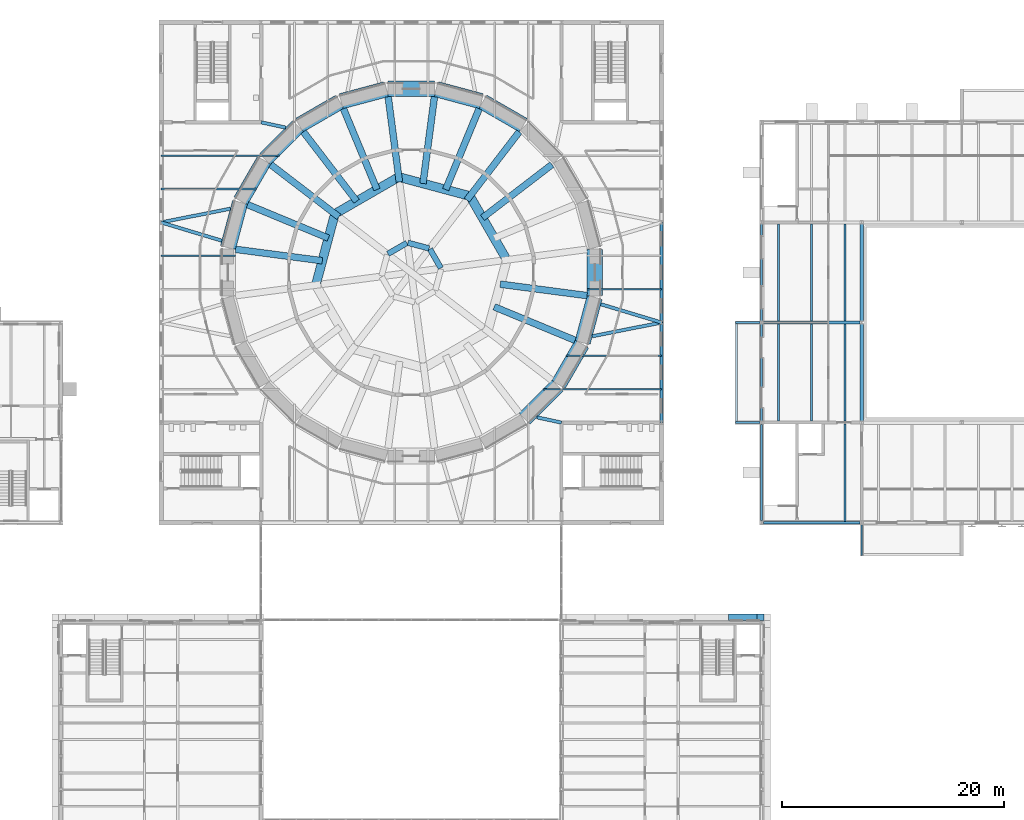
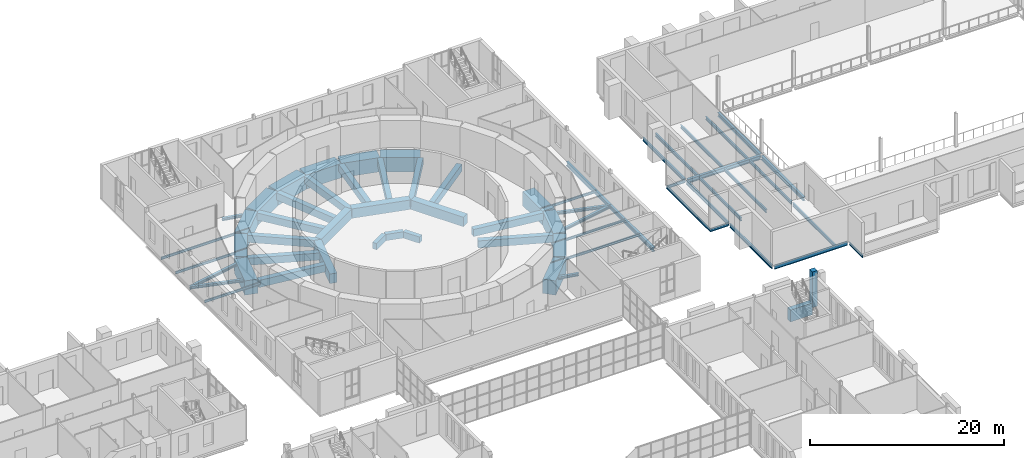
# One storey, part 52 of 131: 64 beams, 1 member.
"""IFC4 building model written with IfcOpenShell, lengths in metres."""

from ifc_helpers import new_model, si_unit, direction, frame, origin, origin_2d, place, context, subcontext, project, spatial, rectangle, i_section, extrude, material, material_profile, profile_set, type_object, element, save


model = new_model("IFC4")

# Units and contexts
model_context = context("Model", 3, precision=1e-05, world=origin(), true_north=direction((0.0, 1.0)))
body_context = subcontext(model_context, "Body", "Model", "MODEL_VIEW")
ifc_project = project(units=[si_unit("LENGTHUNIT", "METRE"), si_unit("AREAUNIT", "SQUARE_METRE"), si_unit("VOLUMEUNIT", "CUBIC_METRE"), si_unit("PLANEANGLEUNIT", "RADIAN"), si_unit("MASSUNIT", "GRAM", prefix="KILO")], contexts=[model_context])

# Site, building, storey
site_placement = place(None, origin())
site = spatial("IfcSite", under=ifc_project, at=site_placement, CompositionType="ELEMENT")
building_placement = place(site_placement, origin())
building = spatial("IfcBuilding", under=site, at=building_placement, Name="Golden Quay Civic Hall", CompositionType="ELEMENT")
storey_placement = place(building_placement, frame((0.0, 0.0, 9.89990234375)))
storey = spatial("IfcBuildingStorey", under=building, at=storey_placement, Name="L02", CompositionType="ELEMENT", Elevation=9.89990234375)

# Beams
ifc_material_1 = material(Name="Steel S355", Category="steel")
ifc_material_profile_1 = material_profile(ifc_material_1, i_section(OverallWidth=0.159912109375, OverallDepth=0.330078125, WebThickness=0.007568359375, FlangeThickness=0.011474609375, FilletRadius=0.01806640625, at=origin_2d()), Name="IPE 330")
ifc_profile_set_1 = profile_set([ifc_material_profile_1], Name="Steel S355")
beam_type_1 = type_object("IfcBeamType", Name="Loggia head beam IPE 330", PredefinedType="BEAM", material=ifc_profile_set_1)
beam_1_placement = place(storey_placement, frame((114.72998046875, 72.080078125, -0.364990234375), z_axis=(0.0, 1.0, 0.0), x_axis=(-1.0, 0.0, 0.0)))
element("IfcBeam", 1, at=beam_1_placement, inside=storey, type_object=beam_type_1, Name="Loggia head beam IPE 330 L02 16", PredefinedType="BEAM", context=body_context, shape_type="SweptSolid", body=[
    extrude(i_section(OverallWidth=0.159912109375, OverallDepth=0.330078125, WebThickness=0.007568359375, FlangeThickness=0.011474609375, FilletRadius=0.01806640625, at=origin_2d()), origin(), (0.0, 0.0, 1.0), 8.83984375),
])
ifc_material_2 = material(Name="Steel S355", Category="steel")
ifc_material_profile_2 = material_profile(ifc_material_2, i_section(OverallWidth=0.159912109375, OverallDepth=0.330078125, WebThickness=0.007568359375, FlangeThickness=0.011474609375, FilletRadius=0.01806640625, at=origin_2d()), Name="IPE 330")
ifc_profile_set_2 = profile_set([ifc_material_profile_2], Name="Steel S355")
beam_type_2 = type_object("IfcBeamType", Name="Loggia stub IPE 330", PredefinedType="BEAM", material=ifc_profile_set_2)
beam_2_placement = place(storey_placement, frame((126.0, 62.820068359375, -0.364990234375), z_axis=(0.0, -1.0, 0.0), x_axis=(1.0, 0.0, 0.0)))
element("IfcBeam", 2, at=beam_2_placement, inside=storey, type_object=beam_type_2, Name="Loggia stub IPE 330 L02 16", PredefinedType="BEAM", context=body_context, shape_type="SweptSolid", body=[
    extrude(i_section(OverallWidth=0.159912109375, OverallDepth=0.330078125, WebThickness=0.007568359375, FlangeThickness=0.011474609375, FilletRadius=0.01806640625, at=origin_2d()), origin(), (0.0, 0.0, 1.0), 2.77001953125),
])
for number, where, z_axis, x_axis, name in (
    (3, (116.85009765625, 72.0, -0.364990234375), (-1.0, 0.0, 0.0), (0.0, -1.0, 0.0), "Loggia stub IPE 330 L02 25"),
    (4, (116.85009765625, 81.0, -0.364990234375), (-1.0, 0.0, 0.0), (0.0, -1.0, 0.0), "Loggia stub IPE 330 L02 26"),
):
    element("IfcBeam", number, at=place(storey_placement, frame(where, z_axis=z_axis, x_axis=x_axis)), inside=storey, type_object=beam_type_2, Name=name, PredefinedType="BEAM", context=body_context, shape_type="SweptSolid", body=[
        extrude(i_section(OverallWidth=0.159912109375, OverallDepth=0.330078125, WebThickness=0.007568359375, FlangeThickness=0.011474609375, FilletRadius=0.01806640625, at=origin_2d()), origin(), (0.0, 0.0, 1.0), 2.2001953125),
    ])

# Member
ifc_material_3 = material(Name="Concrete C40/50", Category="concrete")
ifc_material_profile_3 = material_profile(ifc_material_3, rectangle(XDim=0.60009765625, YDim=0.60009765625, at=origin_2d()), Name="RC 600x600")
ifc_profile_set_3 = profile_set([ifc_material_profile_3], Name="Concrete C40/50")
member_type = type_object("IfcMemberType", Name="Precast concrete facade post 600 x 600", PredefinedType="POST", material=ifc_profile_set_3)
member_placement = place(storey_placement, frame((116.89990234375, 54.5, 0.0), z_axis=(0.0, 0.0, 1.0), x_axis=(1.0, 0.0, 0.0)))
element("IfcMember", 5, at=member_placement, inside=storey, type_object=member_type, Name="Precast concrete facade post 600 x 600 L02 11", PredefinedType="POST", context=body_context, shape_type="SweptSolid", body=[
    extrude(rectangle(XDim=0.60009765625, YDim=0.60009765625, at=origin_2d()), origin(), (0.0, 0.0, 1.0), 4.5),
])

# Beams
ifc_material_4 = material(Name="Concrete C40/50", Category="concrete")
ifc_material_profile_4 = material_profile(ifc_material_4, rectangle(XDim=0.60009765625, YDim=1.5, at=origin_2d()), Name="RC 600x1500")
ifc_profile_set_4 = profile_set([ifc_material_profile_4], Name="Concrete C40/50")
beam_type_3 = type_object("IfcBeamType", Name="Precast concrete spandrel beam 600 x 1500", PredefinedType="SPANDREL", material=ifc_profile_set_4)
beam_3_placement = place(storey_placement, frame((114.0, 54.5, -0.14990234375), z_axis=(1.0, 0.0, 0.0), x_axis=(0.0, 1.0, 0.0)))
element("IfcBeam", 6, at=beam_3_placement, inside=storey, type_object=beam_type_3, Name="Precast concrete spandrel beam 600 x 1500 L02 31", PredefinedType="SPANDREL", context=body_context, shape_type="SweptSolid", body=[
    extrude(rectangle(XDim=0.60009765625, YDim=1.5, at=origin_2d()), origin(), (0.0, 0.0, 1.0), 2.60009765625),
])
ifc_material_5 = material(Name="Concrete C40/50", Category="concrete")
ifc_material_profile_5 = material_profile(ifc_material_5, rectangle(XDim=0.5, YDim=0.800048828125, at=origin_2d()), Name="RC 500x800")
ifc_profile_set_5 = profile_set([ifc_material_profile_5], Name="Concrete C40/50")
beam_type_4 = type_object("IfcBeamType", Name="Reinforced concrete central ring beam 500x800", PredefinedType="BEAM", material=ifc_profile_set_5)
beam_4_placement = place(storey_placement, frame((88.15771484375, 85.896484375, -0.599853515625), z_axis=(-0.499922605174, 0.866070083097, 0.0), x_axis=(-0.866070083097, -0.499922605174, 0.0)))
element("IfcBeam", 7, at=beam_4_placement, inside=storey, type_object=beam_type_4, Name="Chamber central ring beam segment 1", PredefinedType="BEAM", context=body_context, shape_type="SweptSolid", body=[
    extrude(rectangle(XDim=0.5, YDim=0.800048828125, at=origin_2d()), origin(), (0.0, 0.0, 1.0), 1.970947265625),
])
beam_5_placement = place(storey_placement, frame((87.09912109375, 87.65966796875, -0.599853515625), z_axis=(-0.965917643923, 0.258849580177, 0.0), x_axis=(-0.258849580177, -0.965917643923, 0.0)))
element("IfcBeam", 8, at=beam_5_placement, inside=storey, type_object=beam_type_4, Name="Chamber central ring beam segment 2", PredefinedType="BEAM", context=body_context, shape_type="SweptSolid", body=[
    extrude(rectangle(XDim=0.5, YDim=0.800048828125, at=origin_2d()), origin(), (0.0, 0.0, 1.0), 1.97119140625),
])
beam_6_placement = place(storey_placement, frame((85.103515625, 88.15771484375, -0.599853515625), z_axis=(-0.866070083097, -0.499922605174, 0.0), x_axis=(0.499922605174, -0.866070083097, 0.0)))
element("IfcBeam", 9, at=beam_6_placement, inside=storey, type_object=beam_type_4, Name="Chamber central ring beam segment 3", PredefinedType="BEAM", context=body_context, shape_type="SweptSolid", body=[
    extrude(rectangle(XDim=0.5, YDim=0.800048828125, at=origin_2d()), origin(), (0.0, 0.0, 1.0), 1.970947265625),
])
ifc_material_6 = material(Name="Concrete C40/50", Category="concrete")
ifc_material_profile_6 = material_profile(ifc_material_6, rectangle(XDim=0.800048828125, YDim=1.199951171875, at=origin_2d()), Name="RC 800x1200")
ifc_profile_set_6 = profile_set([ifc_material_profile_6], Name="Concrete C40/50")
beam_type_5 = type_object("IfcBeamType", Name="Reinforced concrete inner ring beam 800x1200", PredefinedType="BEAM", material=ifc_profile_set_6)
for number, where, z_axis, x_axis, name in (
    (10, (94.002197265625, 86.773681640625, -0.7998046875), (-0.499984268907, 0.866034485945, 0.0), (-0.866034485945, -0.499984268907, 0.0), "Chamber inner ring beam segment 1"),
    (11, (90.611328125, 92.41259765625, -0.7998046875), (-0.965922087975, 0.258832996276, 0.0), (-0.258832996276, -0.965922087975, 0.0), "Chamber inner ring beam segment 2"),
    (12, (84.226318359375, 94.002197265625, -0.7998046875), (-0.866034485945, -0.499984268907, 0.0), (0.499984268907, -0.866034485945, 0.0), "Chamber inner ring beam segment 3"),
    (13, (78.58740234375, 90.611328125, -0.7998046875), (-0.258832996276, -0.965922087975, 0.0), (0.965922087975, -0.258832996276, 0.0), "Chamber inner ring beam segment 4"),
):
    element("IfcBeam", number, at=place(storey_placement, frame(where, z_axis=z_axis, x_axis=x_axis)), inside=storey, type_object=beam_type_5, Name=name, PredefinedType="BEAM", context=body_context, shape_type="SweptSolid", body=[
        extrude(rectangle(XDim=0.800048828125, YDim=1.199951171875, at=origin_2d()), origin(), (0.0, 0.0, 1.0), 6.296142578125),
    ])
ifc_material_7 = material(Name="Concrete C40/50", Category="concrete")
ifc_material_profile_7 = material_profile(ifc_material_7, rectangle(XDim=0.60009765625, YDim=0.89990234375, at=origin_2d()), Name="RC 600x900")
ifc_profile_set_7 = profile_set([ifc_material_profile_7], Name="Concrete C40/50")
beam_type_6 = type_object("IfcBeamType", Name="Reinforced concrete radial beam 600x900", PredefinedType="BEAM", material=ifc_profile_set_7)
beam_7_placement = place(storey_placement, frame((91.901611328125, 90.412109375, -0.64990234375), z_axis=(0.793349060526, 0.608767006467, 0.0), x_axis=(-0.608767006467, 0.793349060526, 0.0)))
element("IfcBeam", 14, at=beam_7_placement, inside=storey, type_object=beam_type_6, Name="Chamber floor radial beam 3", PredefinedType="BEAM", context=body_context, shape_type="SweptSolid", body=[
    extrude(rectangle(XDim=0.60009765625, YDim=0.89990234375, at=origin_2d()), origin(), (0.0, 0.0, 1.0), 7.8671875),
])
beam_8_placement = place(storey_placement, frame((90.497314453125, 92.0126953125, -0.64990234375), z_axis=(0.608769767853, 0.793346941602, 0.0), x_axis=(-0.793346941602, 0.608769767853, 0.0)))
element("IfcBeam", 15, at=beam_8_placement, inside=storey, type_object=beam_type_6, Name="Chamber floor radial beam 4", PredefinedType="BEAM", context=body_context, shape_type="SweptSolid", body=[
    extrude(rectangle(XDim=0.60009765625, YDim=0.89990234375, at=origin_2d()), origin(), (0.0, 0.0, 1.0), 7.727294921875),
])
beam_9_placement = place(storey_placement, frame((88.587890625, 92.954833984375, -0.64990234375), z_axis=(0.382695299905, 0.923874616726, 0.0), x_axis=(-0.923874616726, 0.382695299905, 0.0)))
element("IfcBeam", 16, at=beam_9_placement, inside=storey, type_object=beam_type_6, Name="Chamber floor radial beam 5", PredefinedType="BEAM", context=body_context, shape_type="SweptSolid", body=[
    extrude(rectangle(XDim=0.60009765625, YDim=0.89990234375, at=origin_2d()), origin(), (0.0, 0.0, 1.0), 7.8671875),
])
beam_10_placement = place(storey_placement, frame((86.55322265625, 93.5, -0.64990234375), z_axis=(0.130521139464, 0.991445526569, 0.0), x_axis=(-0.991445526569, 0.130521139464, 0.0)))
element("IfcBeam", 17, at=beam_10_placement, inside=storey, type_object=beam_type_6, Name="Chamber floor radial beam 6", PredefinedType="BEAM", context=body_context, shape_type="SweptSolid", body=[
    extrude(rectangle(XDim=0.60009765625, YDim=0.89990234375, at=origin_2d()), origin(), (0.0, 0.0, 1.0), 7.867431640625),
])
beam_11_placement = place(storey_placement, frame((84.428466796875, 93.638916015625, -0.64990234375), z_axis=(-0.130518261171, 0.991445905484, 0.0), x_axis=(-0.991445905484, -0.130518261171, 0.0)))
element("IfcBeam", 18, at=beam_11_placement, inside=storey, type_object=beam_type_6, Name="Chamber floor radial beam 7", PredefinedType="BEAM", context=body_context, shape_type="SweptSolid", body=[
    extrude(rectangle(XDim=0.60009765625, YDim=0.89990234375, at=origin_2d()), origin(), (0.0, 0.0, 1.0), 7.727294921875),
])
for number, where, z_axis, x_axis, name in (
    (19, (82.412109375, 92.954833984375, -0.64990234375), (-0.382695299905, 0.923874616726, 0.0), (-0.923874616726, -0.382695299905, 0.0), "Chamber floor radial beam 8"),
    (20, (80.587890625, 91.901611328125, -0.64990234375), (-0.608767006467, 0.793349060526, 0.0), (-0.793349060526, -0.608767006467, 0.0), "Chamber floor radial beam 9"),
):
    element("IfcBeam", number, at=place(storey_placement, frame(where, z_axis=z_axis, x_axis=x_axis)), inside=storey, type_object=beam_type_6, Name=name, PredefinedType="BEAM", context=body_context, shape_type="SweptSolid", body=[
        extrude(rectangle(XDim=0.60009765625, YDim=0.89990234375, at=origin_2d()), origin(), (0.0, 0.0, 1.0), 7.8671875),
    ])
beam_12_placement = place(storey_placement, frame((78.9873046875, 90.497314453125, -0.64990234375), z_axis=(-0.793346941602, 0.608769767853, 0.0), x_axis=(-0.608769767853, -0.793346941602, 0.0)))
element("IfcBeam", 21, at=beam_12_placement, inside=storey, type_object=beam_type_6, Name="Chamber floor radial beam 10", PredefinedType="BEAM", context=body_context, shape_type="SweptSolid", body=[
    extrude(rectangle(XDim=0.60009765625, YDim=0.89990234375, at=origin_2d()), origin(), (0.0, 0.0, 1.0), 7.727294921875),
])
beam_13_placement = place(storey_placement, frame((78.045166015625, 88.587890625, -0.64990234375), z_axis=(-0.923874616726, 0.382695299905, 0.0), x_axis=(-0.382695299905, -0.923874616726, 0.0)))
element("IfcBeam", 22, at=beam_13_placement, inside=storey, type_object=beam_type_6, Name="Chamber floor radial beam 11", PredefinedType="BEAM", context=body_context, shape_type="SweptSolid", body=[
    extrude(rectangle(XDim=0.60009765625, YDim=0.89990234375, at=origin_2d()), origin(), (0.0, 0.0, 1.0), 7.8671875),
])
beam_14_placement = place(storey_placement, frame((77.5, 86.55322265625, -0.64990234375), z_axis=(-0.991445526569, 0.130521139464, 0.0), x_axis=(-0.130521139464, -0.991445526569, 0.0)))
element("IfcBeam", 23, at=beam_14_placement, inside=storey, type_object=beam_type_6, Name="Chamber floor radial beam 12", PredefinedType="BEAM", context=body_context, shape_type="SweptSolid", body=[
    extrude(rectangle(XDim=0.60009765625, YDim=0.89990234375, at=origin_2d()), origin(), (0.0, 0.0, 1.0), 7.867431640625),
])
beam_15_placement = place(storey_placement, frame((92.954833984375, 82.412109375, -0.64990234375), z_axis=(0.923874616726, -0.382695299905, 0.0), x_axis=(0.382695299905, 0.923874616726, 0.0)))
element("IfcBeam", 24, at=beam_15_placement, inside=storey, type_object=beam_type_6, Name="Chamber floor radial beam 23", PredefinedType="BEAM", context=body_context, shape_type="SweptSolid", body=[
    extrude(rectangle(XDim=0.60009765625, YDim=0.89990234375, at=origin_2d()), origin(), (0.0, 0.0, 1.0), 7.8671875),
])
beam_16_placement = place(storey_placement, frame((93.5, 84.44677734375, -0.64990234375), z_axis=(0.991445526569, -0.130521139464, 0.0), x_axis=(0.130521139464, 0.991445526569, 0.0)))
element("IfcBeam", 25, at=beam_16_placement, inside=storey, type_object=beam_type_6, Name="Chamber floor radial beam 24", PredefinedType="BEAM", context=body_context, shape_type="SweptSolid", body=[
    extrude(rectangle(XDim=0.60009765625, YDim=0.89990234375, at=origin_2d()), origin(), (0.0, 0.0, 1.0), 7.867431640625),
])
ifc_material_8 = material(Name="Concrete C40/50", Category="concrete")
ifc_material_profile_8 = material_profile(ifc_material_8, rectangle(XDim=1.39990234375, YDim=1.800048828125, at=origin_2d()), Name="RC 1400x1800")
ifc_profile_set_8 = profile_set([ifc_material_profile_8], Name="Concrete C40/50")
beam_type_7 = type_object("IfcBeamType", Name="Reinforced concrete ring beam 1400x1800", PredefinedType="BEAM", material=ifc_profile_set_8)
for number, where, z_axis, x_axis, name in (
    (26, (95.551513671875, 98.749267578125, -1.099853515625), (-0.866013595008, 0.500020452843, 0.0), (-0.500020452843, -0.866013595008, 0.0), "Chamber ring beam segment 4"),
    (27, (91.77978515625, 100.8994140625, -1.099853515625), (-0.965932335573, 0.258794750904, 0.0), (-0.258794750904, -0.965932335573, 0.0), "Chamber ring beam segment 5"),
):
    element("IfcBeam", number, at=place(storey_placement, frame(where, z_axis=z_axis, x_axis=x_axis)), inside=storey, type_object=beam_type_7, Name=name, PredefinedType="BEAM", context=body_context, shape_type="SweptSolid", body=[
        extrude(rectangle(XDim=1.39990234375, YDim=1.800048828125, at=origin_2d()), origin(), (0.0, 0.0, 1.0), 4.160400390625),
    ])
beam_17_placement = place(storey_placement, frame((87.580078125, 102.0, -1.099853515625), z_axis=(-1.0, 0.0, 0.0), x_axis=(0.0, -1.0, 0.0)))
element("IfcBeam", 28, at=beam_17_placement, inside=storey, type_object=beam_type_7, Name="Chamber ring beam segment 6", PredefinedType="BEAM", context=body_context, shape_type="SweptSolid", body=[
    extrude(rectangle(XDim=1.39990234375, YDim=1.800048828125, at=origin_2d()), origin(), (0.0, 0.0, 1.0), 4.16015625),
])
for number, where, z_axis, x_axis, name in (
    (29, (83.23876953125, 101.97607421875, -1.099853515625), (-0.965932335573, -0.258794750904, 0.0), (0.258794750904, -0.965932335573, 0.0), "Chamber ring beam segment 7"),
    (30, (79.051513671875, 100.82958984375, -1.099853515625), (-0.866013595008, -0.500020452843, 0.0), (0.500020452843, -0.866013595008, 0.0), "Chamber ring beam segment 8"),
    (31, (75.3037109375, 98.63818359375, -1.099853515625), (-0.707106781187, -0.707106781187, 0.0), (0.707106781187, -0.707106781187, 0.0), "Chamber ring beam segment 9"),
    (32, (72.250732421875, 95.551513671875, -1.099853515625), (-0.500020452843, -0.866013595008, 0.0), (0.866013595008, -0.500020452843, 0.0), "Chamber ring beam segment 10"),
    (33, (70.1005859375, 91.77978515625, -1.099853515625), (-0.258794750904, -0.965932335573, 0.0), (0.965932335573, -0.258794750904, 0.0), "Chamber ring beam segment 11"),
    (34, (95.6962890625, 72.36181640625, -1.099853515625), (0.707106781187, 0.707106781187, 0.0), (-0.707106781187, 0.707106781187, 0.0), "Chamber ring beam segment 21"),
    (35, (98.749267578125, 75.448486328125, -1.099853515625), (0.500020452843, 0.866013595008, 0.0), (-0.866013595008, 0.500020452843, 0.0), "Chamber ring beam segment 22"),
    (36, (100.8994140625, 79.22021484375, -1.099853515625), (0.258794750904, 0.965932335573, 0.0), (-0.965932335573, 0.258794750904, 0.0), "Chamber ring beam segment 23"),
):
    element("IfcBeam", number, at=place(storey_placement, frame(where, z_axis=z_axis, x_axis=x_axis)), inside=storey, type_object=beam_type_7, Name=name, PredefinedType="BEAM", context=body_context, shape_type="SweptSolid", body=[
        extrude(rectangle(XDim=1.39990234375, YDim=1.800048828125, at=origin_2d()), origin(), (0.0, 0.0, 1.0), 4.160400390625),
    ])
beam_18_placement = place(storey_placement, frame((102.0, 83.419921875, -1.099853515625), z_axis=(0.0, 1.0, 0.0), x_axis=(-1.0, 0.0, 0.0)))
element("IfcBeam", 37, at=beam_18_placement, inside=storey, type_object=beam_type_7, Name="Chamber ring beam segment 24", PredefinedType="BEAM", context=body_context, shape_type="SweptSolid", body=[
    extrude(rectangle(XDim=1.39990234375, YDim=1.800048828125, at=origin_2d()), origin(), (0.0, 0.0, 1.0), 4.16015625),
])
ifc_material_9 = material(Name="Steel S355", Category="steel")
ifc_material_profile_9 = material_profile(ifc_material_9, i_section(OverallWidth=0.18994140625, OverallDepth=0.449951171875, WebThickness=0.009521484375, FlangeThickness=0.0146484375, FilletRadius=0.02099609375, at=origin_2d()), Name="IPE 450")
ifc_profile_set_9 = profile_set([ifc_material_profile_9], Name="Steel S355")
beam_type_8 = type_object("IfcBeamType", Name="Steel edge beam IPE 450", PredefinedType="BEAM", material=ifc_profile_set_9)
beam_19_placement = place(storey_placement, frame((117.14990234375, 63.0, -0.4248046875), z_axis=(1.0, 0.0, 0.0), x_axis=(0.0, 1.0, 0.0)))
element("IfcBeam", 38, at=beam_19_placement, inside=storey, type_object=beam_type_8, Name="L02 edge beam 0-1", PredefinedType="BEAM", context=body_context, shape_type="SweptSolid", body=[
    extrude(i_section(OverallWidth=0.18994140625, OverallDepth=0.449951171875, WebThickness=0.009521484375, FlangeThickness=0.0146484375, FilletRadius=0.02099609375, at=origin_2d()), origin(), (0.0, 0.0, 1.0), 8.7001953125),
])
beam_20_placement = place(storey_placement, frame((117.0, 63.179931640625, -0.4248046875), z_axis=(0.0, 1.0, 0.0), x_axis=(-1.0, 0.0, 0.0)))
element("IfcBeam", 39, at=beam_20_placement, inside=storey, type_object=beam_type_8, Name="L02 edge beam u0-1", PredefinedType="BEAM", context=body_context, shape_type="SweptSolid", body=[
    extrude(i_section(OverallWidth=0.18994140625, OverallDepth=0.449951171875, WebThickness=0.009521484375, FlangeThickness=0.0146484375, FilletRadius=0.02099609375, at=origin_2d()), origin(), (0.0, 0.0, 1.0), 8.670166015625),
])
for number, where, z_axis, x_axis, name in (
    (40, (117.0, 72.14990234375, -0.4248046875), (0.0, 1.0, 0.0), (-1.0, 0.0, 0.0), "L02 edge beam u0-2"),
    (41, (117.0, 81.14990234375, -0.4248046875), (0.0, 1.0, 0.0), (-1.0, 0.0, 0.0), "L02 edge beam u0-3"),
):
    element("IfcBeam", number, at=place(storey_placement, frame(where, z_axis=z_axis, x_axis=x_axis)), inside=storey, type_object=beam_type_8, Name=name, PredefinedType="BEAM", context=body_context, shape_type="SweptSolid", body=[
        extrude(i_section(OverallWidth=0.18994140625, OverallDepth=0.449951171875, WebThickness=0.009521484375, FlangeThickness=0.0146484375, FilletRadius=0.02099609375, at=origin_2d()), origin(), (0.0, 0.0, 1.0), 8.7001953125),
    ])
ifc_material_10 = material(Name="Steel S355", Category="steel")
ifc_material_profile_10 = material_profile(ifc_material_10, i_section(OverallWidth=0.300048828125, OverallDepth=0.330078125, WebThickness=0.009521484375, FlangeThickness=0.0166015625, FilletRadius=0.027099609375, at=origin_2d()), Name="HEA 340")
ifc_profile_set_10 = profile_set([ifc_material_profile_10], Name="Steel S355")
beam_type_9 = type_object("IfcBeamType", Name="Steel girder HEA 340", PredefinedType="BEAM", material=ifc_profile_set_10)
beam_21_placement = place(storey_placement, frame((63.0, 90.0, -0.364990234375), z_axis=(0.957574849663, -0.288184675673, 0.0), x_axis=(0.288184675673, 0.957574849663, 0.0)))
element("IfcBeam", 42, at=beam_21_placement, inside=storey, type_object=beam_type_9, Name="Radial girder 11", PredefinedType="BEAM", context=body_context, shape_type="SweptSolid", body=[
    extrude(i_section(OverallWidth=0.300048828125, OverallDepth=0.330078125, WebThickness=0.009521484375, FlangeThickness=0.0166015625, FilletRadius=0.027099609375, at=origin_2d()), origin(), (0.0, 0.0, 1.0), 5.70068359375),
])
beam_22_placement = place(storey_placement, frame((63.0, 90.0, -0.364990234375), z_axis=(0.980936854448, 0.194326754683, 0.0), x_axis=(-0.194326754683, 0.980936854448, 0.0)))
element("IfcBeam", 43, at=beam_22_placement, inside=storey, type_object=beam_type_9, Name="Radial girder 12", PredefinedType="BEAM", context=body_context, shape_type="SweptSolid", body=[
    extrude(i_section(OverallWidth=0.300048828125, OverallDepth=0.330078125, WebThickness=0.009521484375, FlangeThickness=0.0166015625, FilletRadius=0.027099609375, at=origin_2d()), origin(), (0.0, 0.0, 1.0), 6.350830078125),
])
beam_23_placement = place(storey_placement, frame((108.0, 81.0, -0.364990234375), z_axis=(-0.957574849663, 0.288184675673, 0.0), x_axis=(-0.288184675673, -0.957574849663, 0.0)))
element("IfcBeam", 44, at=beam_23_placement, inside=storey, type_object=beam_type_9, Name="Radial girder 13", PredefinedType="BEAM", context=body_context, shape_type="SweptSolid", body=[
    extrude(i_section(OverallWidth=0.300048828125, OverallDepth=0.330078125, WebThickness=0.009521484375, FlangeThickness=0.0166015625, FilletRadius=0.027099609375, at=origin_2d()), origin(), (0.0, 0.0, 1.0), 5.70068359375),
])
beam_24_placement = place(storey_placement, frame((108.0, 81.0, -0.364990234375), z_axis=(-0.980936854448, -0.194326754683, 0.0), x_axis=(0.194326754683, -0.980936854448, 0.0)))
element("IfcBeam", 45, at=beam_24_placement, inside=storey, type_object=beam_type_9, Name="Radial girder 14", PredefinedType="BEAM", context=body_context, shape_type="SweptSolid", body=[
    extrude(i_section(OverallWidth=0.300048828125, OverallDepth=0.330078125, WebThickness=0.009521484375, FlangeThickness=0.0166015625, FilletRadius=0.027099609375, at=origin_2d()), origin(), (0.0, 0.0, 1.0), 6.350830078125),
])
for number, where, z_axis, x_axis, name in (
    (46, (99.0, 72.0, -0.364990234375), (-0.977530245281, 0.210795207635, 0.0), (-0.210795207635, -0.977530245281, 0.0), "Radial girder 18"),
    (47, (72.0, 99.0, -0.364990234375), (0.977530245281, -0.210795207635, 0.0), (0.210795207635, 0.977530245281, 0.0), "Radial girder 19"),
):
    element("IfcBeam", number, at=place(storey_placement, frame(where, z_axis=z_axis, x_axis=x_axis)), inside=storey, type_object=beam_type_9, Name=name, PredefinedType="BEAM", context=body_context, shape_type="SweptSolid", body=[
        extrude(i_section(OverallWidth=0.300048828125, OverallDepth=0.330078125, WebThickness=0.009521484375, FlangeThickness=0.0166015625, FilletRadius=0.027099609375, at=origin_2d()), origin(), (0.0, 0.0, 1.0), 2.25146484375),
    ])
ifc_material_11 = material(Name="Steel S355", Category="steel")
ifc_material_profile_11 = material_profile(ifc_material_11, i_section(OverallWidth=0.300048828125, OverallDepth=0.489990234375, WebThickness=0.011962890625, FlangeThickness=0.02294921875, FilletRadius=0.027099609375, at=origin_2d()), Name="HEA 500")
ifc_profile_set_11 = profile_set([ifc_material_profile_11], Name="Steel S355")
beam_type_10 = type_object("IfcBeamType", Name="Steel girder HEA 500", PredefinedType="BEAM", material=ifc_profile_set_11)
for number, where, z_axis, x_axis, name in (
    (48, (108.0, 72.0, -0.44482421875), (0.0, 1.0, 0.0), (-1.0, 0.0, 0.0), "Perimeter girder 4"),
    (49, (108.0, 81.0, -0.44482421875), (0.0, 1.0, 0.0), (-1.0, 0.0, 0.0), "Perimeter girder 8"),
):
    element("IfcBeam", number, at=place(storey_placement, frame(where, z_axis=z_axis, x_axis=x_axis)), inside=storey, type_object=beam_type_10, Name=name, PredefinedType="BEAM", context=body_context, shape_type="SweptSolid", body=[
        extrude(i_section(OverallWidth=0.300048828125, OverallDepth=0.489990234375, WebThickness=0.011962890625, FlangeThickness=0.02294921875, FilletRadius=0.027099609375, at=origin_2d()), origin(), (0.0, 0.0, 1.0), 9.0),
    ])
for number, where, z_axis, x_axis, name in (
    (50, (126.0, 72.14990234375, -0.44482421875), (0.0, 1.0, 0.0), (-1.0, 0.0, 0.0), "L02 girder u9-2"),
    (51, (126.0, 81.14990234375, -0.44482421875), (0.0, 1.0, 0.0), (-1.0, 0.0, 0.0), "L02 girder u9-3"),
):
    element("IfcBeam", number, at=place(storey_placement, frame(where, z_axis=z_axis, x_axis=x_axis)), inside=storey, type_object=beam_type_10, Name=name, PredefinedType="BEAM", context=body_context, shape_type="SweptSolid", body=[
        extrude(i_section(OverallWidth=0.300048828125, OverallDepth=0.489990234375, WebThickness=0.011962890625, FlangeThickness=0.02294921875, FilletRadius=0.027099609375, at=origin_2d()), origin(), (0.0, 0.0, 1.0), 8.7001953125),
    ])
ifc_material_12 = material(Name="Steel S355", Category="steel")
ifc_material_profile_12 = material_profile(ifc_material_12, i_section(OverallWidth=0.300048828125, OverallDepth=0.5, WebThickness=0.014404296875, FlangeThickness=0.028076171875, FilletRadius=0.027099609375, at=origin_2d()), Name="HEB 500")
ifc_profile_set_12 = profile_set([ifc_material_profile_12], Name="Steel S355")
beam_type_11 = type_object("IfcBeamType", Name="Steel girder HEB 500", PredefinedType="BEAM", material=ifc_profile_set_12)
beam_25_placement = place(storey_placement, frame((117.14990234375, 81.0, -0.449951171875), z_axis=(1.0, 0.0, 0.0), x_axis=(0.0, 1.0, 0.0)))
element("IfcBeam", 52, at=beam_25_placement, inside=storey, type_object=beam_type_11, Name="L02 girder 18-1", PredefinedType="BEAM", context=body_context, shape_type="SweptSolid", body=[
    extrude(i_section(OverallWidth=0.300048828125, OverallDepth=0.5, WebThickness=0.014404296875, FlangeThickness=0.028076171875, FilletRadius=0.027099609375, at=origin_2d()), origin(), (0.0, 0.0, 1.0), 8.7001953125),
])
ifc_material_13 = material(Name="Steel S355", Category="steel")
ifc_material_profile_13 = material_profile(ifc_material_13, i_section(OverallWidth=0.14990234375, OverallDepth=0.300048828125, WebThickness=0.007080078125, FlangeThickness=0.0107421875, FilletRadius=0.014892578125, at=origin_2d()), Name="IPE 300")
ifc_profile_set_13 = profile_set([ifc_material_profile_13], Name="Steel S355")
beam_type_12 = type_object("IfcBeamType", Name="Steel joist IPE 300", PredefinedType="JOIST", material=ifc_profile_set_13)
beam_26_placement = place(storey_placement, frame((63.0, 87.0, -0.349853515625), z_axis=(1.0, 0.0, 0.0), x_axis=(0.0, 1.0, 0.0)))
element("IfcBeam", 53, at=beam_26_placement, inside=storey, type_object=beam_type_12, Name="Floor joist 16", PredefinedType="JOIST", context=body_context, shape_type="SweptSolid", body=[
    extrude(i_section(OverallWidth=0.14990234375, OverallDepth=0.300048828125, WebThickness=0.007080078125, FlangeThickness=0.0107421875, FilletRadius=0.014892578125, at=origin_2d()), origin(), (0.0, 0.0, 1.0), 6.699951171875),
])
beam_27_placement = place(storey_placement, frame((63.0, 93.0, -0.349853515625), z_axis=(1.0, 0.0, 0.0), x_axis=(0.0, 1.0, 0.0)))
element("IfcBeam", 54, at=beam_27_placement, inside=storey, type_object=beam_type_12, Name="Floor joist 17", PredefinedType="JOIST", context=body_context, shape_type="SweptSolid", body=[
    extrude(i_section(OverallWidth=0.14990234375, OverallDepth=0.300048828125, WebThickness=0.007080078125, FlangeThickness=0.0107421875, FilletRadius=0.014892578125, at=origin_2d()), origin(), (0.0, 0.0, 1.0), 8.5859375),
])
for number, where, z_axis, x_axis, name in (
    (55, (63.0, 96.0, -0.349853515625), (1.0, 0.0, 0.0), (0.0, 1.0, 0.0), "Floor joist 18"),
    (56, (108.0, 75.0, -0.349853515625), (-1.0, 0.0, 0.0), (0.0, -1.0, 0.0), "Floor joist 19"),
):
    element("IfcBeam", number, at=place(storey_placement, frame(where, z_axis=z_axis, x_axis=x_axis)), inside=storey, type_object=beam_type_12, Name=name, PredefinedType="JOIST", context=body_context, shape_type="SweptSolid", body=[
        extrude(i_section(OverallWidth=0.14990234375, OverallDepth=0.300048828125, WebThickness=0.007080078125, FlangeThickness=0.0107421875, FilletRadius=0.014892578125, at=origin_2d()), origin(), (0.0, 0.0, 1.0), 10.655517578125),
    ])
beam_28_placement = place(storey_placement, frame((108.0, 78.0, -0.349853515625), z_axis=(-1.0, 0.0, 0.0), x_axis=(0.0, -1.0, 0.0)))
element("IfcBeam", 57, at=beam_28_placement, inside=storey, type_object=beam_type_12, Name="Floor joist 20", PredefinedType="JOIST", context=body_context, shape_type="SweptSolid", body=[
    extrude(i_section(OverallWidth=0.14990234375, OverallDepth=0.300048828125, WebThickness=0.007080078125, FlangeThickness=0.0107421875, FilletRadius=0.014892578125, at=origin_2d()), origin(), (0.0, 0.0, 1.0), 8.5859375),
])
beam_29_placement = place(storey_placement, frame((108.0, 84.0, -0.349853515625), z_axis=(-1.0, 0.0, 0.0), x_axis=(0.0, -1.0, 0.0)))
element("IfcBeam", 58, at=beam_29_placement, inside=storey, type_object=beam_type_12, Name="Floor joist 21", PredefinedType="JOIST", context=body_context, shape_type="SweptSolid", body=[
    extrude(i_section(OverallWidth=0.14990234375, OverallDepth=0.300048828125, WebThickness=0.007080078125, FlangeThickness=0.0107421875, FilletRadius=0.014892578125, at=origin_2d()), origin(), (0.0, 0.0, 1.0), 6.699951171875),
])
ifc_material_14 = material(Name="Steel S355", Category="steel")
ifc_material_profile_14 = material_profile(ifc_material_14, i_section(OverallWidth=0.179931640625, OverallDepth=0.39990234375, WebThickness=0.008544921875, FlangeThickness=0.013427734375, FilletRadius=0.02099609375, at=origin_2d()), Name="IPE 400")
ifc_profile_set_14 = profile_set([ifc_material_profile_14], Name="Steel S355")
beam_type_13 = type_object("IfcBeamType", Name="Steel joist IPE 400", PredefinedType="JOIST", material=ifc_profile_set_14)
beam_30_placement = place(storey_placement, frame((124.5, 63.094970703125, -0.39990234375), z_axis=(0.0, 1.0, 0.0), x_axis=(-1.0, 0.0, 0.0)))
element("IfcBeam", 59, at=beam_30_placement, inside=storey, type_object=beam_type_13, Name="L02 joist 1.1.3", PredefinedType="JOIST", context=body_context, shape_type="SweptSolid", body=[
    extrude(i_section(OverallWidth=0.179931640625, OverallDepth=0.39990234375, WebThickness=0.008544921875, FlangeThickness=0.013427734375, FilletRadius=0.02099609375, at=origin_2d()), origin(), (0.0, 0.0, 1.0), 8.780029296875),
])
for number, where, z_axis, x_axis, name in (
    (60, (118.5, 72.125, -0.39990234375), (0.0, 1.0, 0.0), (-1.0, 0.0, 0.0), "L02 joist 1.2.1"),
    (61, (121.5, 72.125, -0.39990234375), (0.0, 1.0, 0.0), (-1.0, 0.0, 0.0), "L02 joist 1.2.2"),
    (62, (124.5, 72.125, -0.39990234375), (0.0, 1.0, 0.0), (-1.0, 0.0, 0.0), "L02 joist 1.2.3"),
):
    element("IfcBeam", number, at=place(storey_placement, frame(where, z_axis=z_axis, x_axis=x_axis)), inside=storey, type_object=beam_type_13, Name=name, PredefinedType="JOIST", context=body_context, shape_type="SweptSolid", body=[
        extrude(i_section(OverallWidth=0.179931640625, OverallDepth=0.39990234375, WebThickness=0.008544921875, FlangeThickness=0.013427734375, FilletRadius=0.02099609375, at=origin_2d()), origin(), (0.0, 0.0, 1.0), 8.72509765625),
    ])
for number, where, z_axis, x_axis, name in (
    (63, (118.5, 81.14990234375, -0.39990234375), (0.0, 1.0, 0.0), (-1.0, 0.0, 0.0), "L02 joist 1.3.1"),
    (64, (121.5, 81.14990234375, -0.39990234375), (0.0, 1.0, 0.0), (-1.0, 0.0, 0.0), "L02 joist 1.3.2"),
    (65, (124.5, 81.14990234375, -0.39990234375), (0.0, 1.0, 0.0), (-1.0, 0.0, 0.0), "L02 joist 1.3.3"),
):
    element("IfcBeam", number, at=place(storey_placement, frame(where, z_axis=z_axis, x_axis=x_axis)), inside=storey, type_object=beam_type_13, Name=name, PredefinedType="JOIST", context=body_context, shape_type="SweptSolid", body=[
        extrude(i_section(OverallWidth=0.179931640625, OverallDepth=0.39990234375, WebThickness=0.008544921875, FlangeThickness=0.013427734375, FilletRadius=0.02099609375, at=origin_2d()), origin(), (0.0, 0.0, 1.0), 8.7001953125),
    ])

save(model, "model.ifc")
